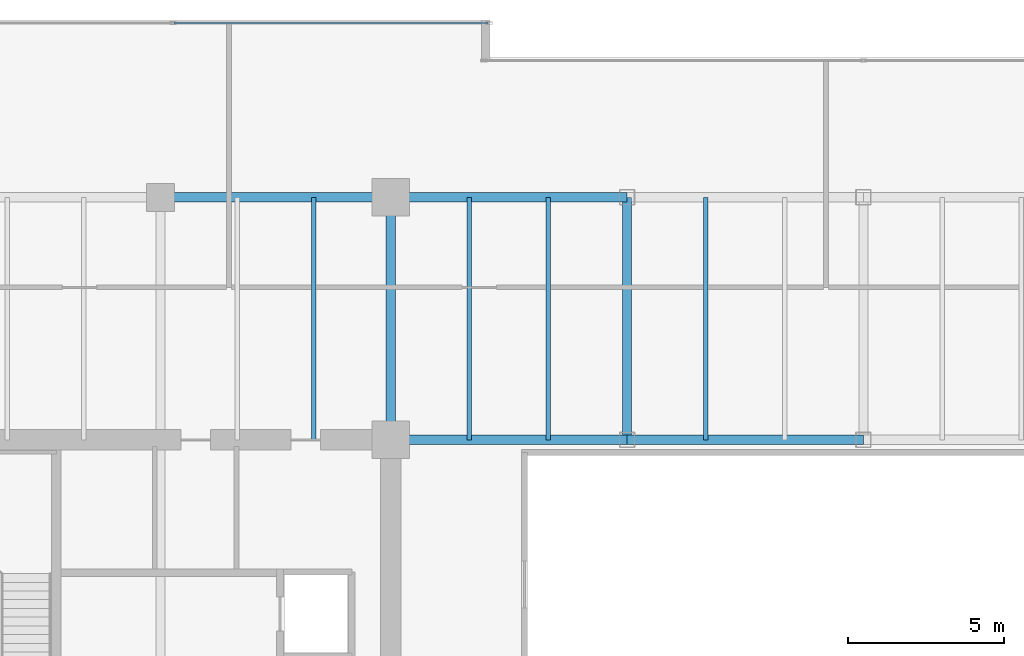
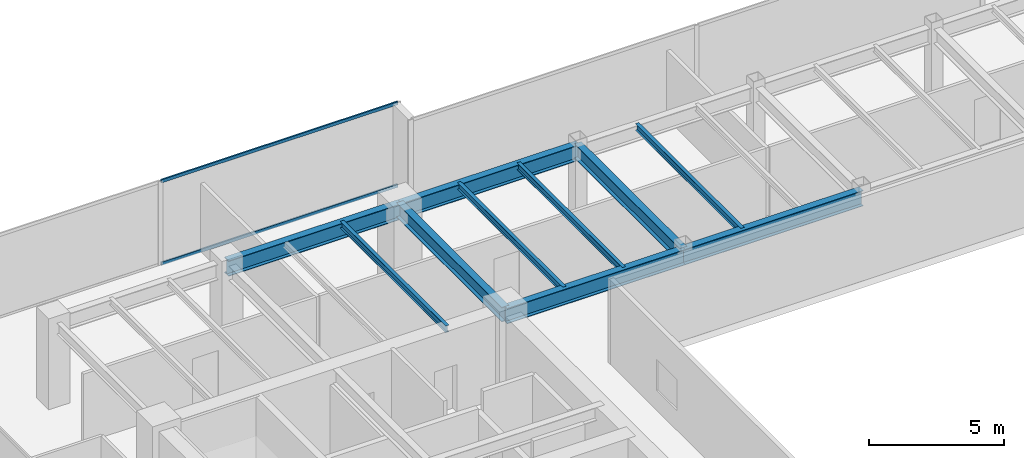
# One storey, part 15 of 30: 10 beams, 2 members, 1 element without a shape of its own.
"""IFC4 building model written with IfcOpenShell, lengths in metres."""

from ifc_helpers import new_model, si_unit, direction, frame, origin, origin_2d, place, context, subcontext, project, spatial, hollow_rectangle, i_section, extrude, source, transform, mapped, material, layer, layer_set, material_profile, profile_set, type_object, type_shapes, element, aggregate, save


model = new_model("IFC4")

# Units and contexts
model_context = context("Model", 3, precision=1e-05, world=origin(), true_north=direction((0.0, 1.0)))
body_context = subcontext(model_context, "Body", "Model", "MODEL_VIEW")
ifc_project = project(units=[si_unit("LENGTHUNIT", "METRE"), si_unit("AREAUNIT", "SQUARE_METRE"), si_unit("VOLUMEUNIT", "CUBIC_METRE"), si_unit("PLANEANGLEUNIT", "RADIAN"), si_unit("MASSUNIT", "GRAM", prefix="KILO")], contexts=[model_context])

# Site, building, storey
site_placement = place(None, origin())
site = spatial("IfcSite", under=ifc_project, at=site_placement, CompositionType="ELEMENT")
building_placement = place(site_placement, origin())
building = spatial("IfcBuilding", under=site, at=building_placement, Name="Haelvirn Gate Laboratories", CompositionType="ELEMENT")
storey_placement = place(building_placement, frame((0.0, 0.0, 142.0)))
storey = spatial("IfcBuildingStorey", under=building, at=storey_placement, Name="L34", CompositionType="ELEMENT", Elevation=142.0)

# Beams
ifc_material_1 = material(Name="Steel SM355", Category="steel")
ifc_material_profile_1 = material_profile(ifc_material_1, i_section(OverallWidth=0.300048828125, OverallDepth=0.64990234375, WebThickness=0.012939453125, FlangeThickness=0.02197265625, at=origin_2d()), Name="H-650x300x13x22")
ifc_profile_set_1 = profile_set([ifc_material_profile_1], Name="Steel SM355")
beam_type_1 = type_object("IfcBeamType", Name="BM-G-650", PredefinedType="BEAM", material=ifc_profile_set_1)
shared_shape_1 = source(origin(), body_context, "Body", "SweptSolid", [
    extrude(i_section(OverallWidth=0.300048828125, OverallDepth=0.64990234375, WebThickness=0.012939453125, FlangeThickness=0.02197265625, at=origin_2d()), origin(), (0.0, 0.0, 1.0), 7.800048828125),
])
type_shapes(beam_type_1, [shared_shape_1])
for number, where, z_axis, x_axis, name in (
    (1, (22.199951171875, 33.800048828125, 3.465087890625), (0.0, 1.0, 0.0), (-1.0, 0.0, 0.0), "L34 Frame Girder X22.2 (33.8-41.6)"),
    (2, (29.800048828125, 33.800048828125, 3.465087890625), (0.0, 1.0, 0.0), (-1.0, 0.0, 0.0), "L34 Frame Girder X29.8 (33.8-41.6)"),
):
    element("IfcBeam", number, at=place(storey_placement, frame(where, z_axis=z_axis, x_axis=x_axis)), inside=storey, type_object=beam_type_1, Name=name, PredefinedType="BEAM", context=body_context, shape_type="MappedRepresentation", body=[
        mapped(shared_shape_1, transform((0.0, 0.0, 0.0), scale=1.0)),
    ])
ifc_material_profile_2 = material_profile(ifc_material_1, i_section(OverallWidth=0.300048828125, OverallDepth=0.699951171875, WebThickness=0.012939453125, FlangeThickness=0.02392578125, at=origin_2d()), Name="H-700x300x13x24")
ifc_profile_set_2 = profile_set([ifc_material_profile_2], Name="Steel SM355")
beam_type_2 = type_object("IfcBeamType", Name="BM-G-700", PredefinedType="BEAM", material=ifc_profile_set_2)
shared_shape_2 = source(origin(), body_context, "Body", "SweptSolid", [
    extrude(i_section(OverallWidth=0.300048828125, OverallDepth=0.699951171875, WebThickness=0.012939453125, FlangeThickness=0.02392578125, at=origin_2d()), origin(), (0.0, 0.0, 1.0), 7.39990234375),
])
beam_1_placement = place(storey_placement, frame((14.800048828125, 41.60009765625, 3.43994140625), z_axis=(1.0, 0.0, 0.0), x_axis=(0.0, 1.0, 0.0)))
element("IfcBeam", 3, at=beam_1_placement, inside=storey, type_object=beam_type_2, Name="L34 Primary Girder Y41.6 (14.8-22.2)", PredefinedType="BEAM", context=body_context, shape_type="MappedRepresentation", body=[
    mapped(shared_shape_2, transform((0.0, 0.0, 0.0), scale=1.0)),
])
shared_shape_3 = source(origin(), body_context, "Body", "SweptSolid", [
    extrude(i_section(OverallWidth=0.300048828125, OverallDepth=0.699951171875, WebThickness=0.012939453125, FlangeThickness=0.02392578125, at=origin_2d()), origin(), (0.0, 0.0, 1.0), 7.60009765625),
])
for number, where, z_axis, x_axis, name in (
    (4, (22.199951171875, 33.800048828125, 3.43994140625), (1.0, 0.0, 0.0), (0.0, 1.0, 0.0), "L34 Primary Girder Y33.8 (22.2-29.8)"),
    (5, (22.199951171875, 41.60009765625, 3.43994140625), (1.0, 0.0, 0.0), (0.0, 1.0, 0.0), "L34 Primary Girder Y41.6 (22.2-29.8)"),
):
    element("IfcBeam", number, at=place(storey_placement, frame(where, z_axis=z_axis, x_axis=x_axis)), inside=storey, type_object=beam_type_2, Name=name, PredefinedType="BEAM", context=body_context, shape_type="MappedRepresentation", body=[
        mapped(shared_shape_3, transform((0.0, 0.0, 0.0), scale=1.0)),
    ])
shared_shape_4 = source(origin(), body_context, "Body", "SweptSolid", [
    extrude(i_section(OverallWidth=0.300048828125, OverallDepth=0.699951171875, WebThickness=0.012939453125, FlangeThickness=0.02392578125, at=origin_2d()), origin(), (0.0, 0.0, 1.0), 7.599853515625),
])
type_shapes(beam_type_2, [shared_shape_2, shared_shape_3, shared_shape_4])
beam_2_placement = place(storey_placement, frame((29.800048828125, 33.800048828125, 3.43994140625), z_axis=(1.0, 0.0, 0.0), x_axis=(0.0, 1.0, 0.0)))
element("IfcBeam", 6, at=beam_2_placement, inside=storey, type_object=beam_type_2, Name="L34 Primary Girder Y33.8 (29.8-37.4)", PredefinedType="BEAM", context=body_context, shape_type="MappedRepresentation", body=[
    mapped(shared_shape_4, transform((0.0, 0.0, 0.0), scale=1.0)),
])
ifc_material_profile_3 = material_profile(ifc_material_1, i_section(OverallWidth=0.14990234375, OverallDepth=0.300048828125, WebThickness=0.006591796875, FlangeThickness=0.009033203125, at=origin_2d()), Name="H-300x150x6.5x9")
ifc_profile_set_3 = profile_set([ifc_material_profile_3], Name="Steel SM355")
beam_type_3 = type_object("IfcBeamType", Name="BM-J-300", PredefinedType="JOIST", material=ifc_profile_set_3)
shared_shape_5 = source(origin(), body_context, "Body", "SweptSolid", [
    extrude(i_section(OverallWidth=0.14990234375, OverallDepth=0.300048828125, WebThickness=0.006591796875, FlangeThickness=0.009033203125, at=origin_2d()), origin(), (0.0, 0.0, 1.0), 7.800048828125),
])
type_shapes(beam_type_3, [shared_shape_5])
for number, where, z_axis, x_axis, name in (
    (7, (19.72998046875, 33.800048828125, 3.639892578125), (0.0, 1.0, 0.0), (-1.0, 0.0, 0.0), "L34 Composite Lab Joist North X19.73"),
    (8, (24.72998046875, 33.800048828125, 3.639892578125), (0.0, 1.0, 0.0), (-1.0, 0.0, 0.0), "L34 Composite Lab Joist North X24.73"),
    (9, (27.27001953125, 33.800048828125, 3.639892578125), (0.0, 1.0, 0.0), (-1.0, 0.0, 0.0), "L34 Composite Lab Joist North X27.27"),
    (10, (32.330078125, 33.800048828125, 3.639892578125), (0.0, 1.0, 0.0), (-1.0, 0.0, 0.0), "L34 Composite Lab Joist North X32.33"),
):
    element("IfcBeam", number, at=place(storey_placement, frame(where, z_axis=z_axis, x_axis=x_axis)), inside=storey, type_object=beam_type_3, Name=name, PredefinedType="JOIST", context=body_context, shape_type="MappedRepresentation", body=[
        mapped(shared_shape_5, transform((0.0, 0.0, 0.0), scale=1.0)),
    ])

# Curtain wall, members
ifc_material_2 = material(Name="Anodised bronze unitised aluminium & triple low-E glass", Category="aluminium")
ifc_layer = layer(ifc_material_2, 0.179931640625, Name="CW-SYS-3")
ifc_layer_set = layer_set([ifc_layer], Name="Anodised bronze unitised aluminium & triple low-E glass")
curtain_wall_type = type_object("IfcCurtainWallType", Name="CW-SYS-3", PredefinedType="NOTDEFINED", material=ifc_layer_set)
curtain_wall_placement = place(storey_placement, origin())
curtain_wall = element("IfcCurtainWall", 11, at=curtain_wall_placement, inside=storey, type_object=curtain_wall_type, Name="L34 Unitised Curtain Wall CW-L34-P0-E14-1", PredefinedType="NOTDEFINED")
ifc_material_3 = material(Name="Extruded aluminium 6063-T6 (anodised bronze)", Category="aluminium")
ifc_material_profile_4 = material_profile(ifc_material_3, hollow_rectangle(XDim=0.06494140625, YDim=0.139892578125, WallThickness=0.00390625, at=origin_2d()), Name="CWT-140x65x4")
ifc_profile_set_4 = profile_set([ifc_material_profile_4], Name="Extruded aluminium 6063-T6 (anodised bronze)")
member_type = type_object("IfcMemberType", Name="CWT-T140", PredefinedType="USERDEFINED", material=ifc_profile_set_4)
shared_shape_6 = source(origin(), body_context, "Body", "SweptSolid", [
    extrude(hollow_rectangle(XDim=0.06494140625, YDim=0.139892578125, WallThickness=0.00390625, at=origin_2d()), origin(), (0.0, 0.0, 1.0), 10.08740234375),
])
type_shapes(member_type, [shared_shape_6])
member_1_placement = place(storey_placement, frame((15.237548828125, 47.199951171875, 0.032470703125), z_axis=(1.0, 0.0, 0.0), x_axis=(0.0, 1.0, 0.0)))
member_1 = element("IfcMember", 12, at=member_1_placement, type_object=member_type, Name="CW3 transom 2.1", ObjectType="TRANSOM", PredefinedType="USERDEFINED", context=body_context, shape_type="MappedRepresentation", body=[
    mapped(shared_shape_6, transform((0.0, 0.0, 0.0), scale=1.0)),
])
member_2_placement = place(storey_placement, frame((15.237548828125, 47.199951171875, 3.757568359375), z_axis=(1.0, 0.0, 0.0), x_axis=(0.0, 1.0, 0.0)))
member_2 = element("IfcMember", 13, at=member_2_placement, type_object=member_type, Name="CW3 transom 2.2", ObjectType="TRANSOM", PredefinedType="USERDEFINED", context=body_context, shape_type="MappedRepresentation", body=[
    mapped(shared_shape_6, transform((0.0, 0.0, 0.0), scale=1.0)),
])
aggregate(curtain_wall, [member_1, member_2])

save(model, "model.ifc")
